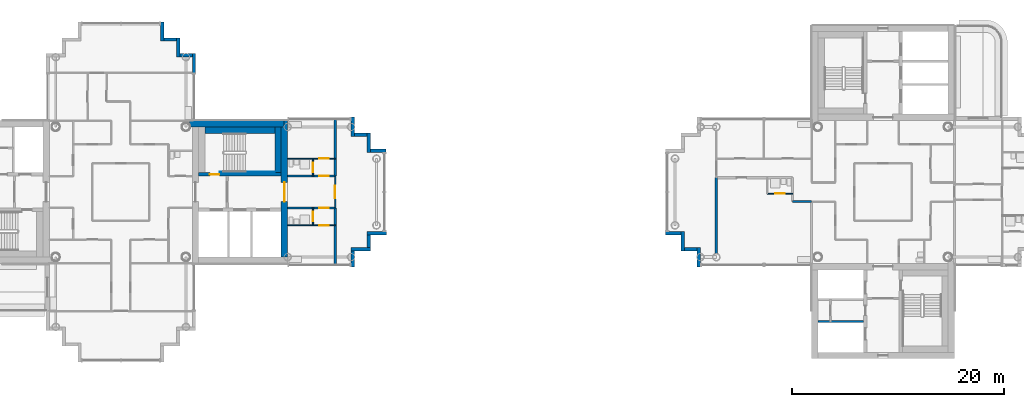
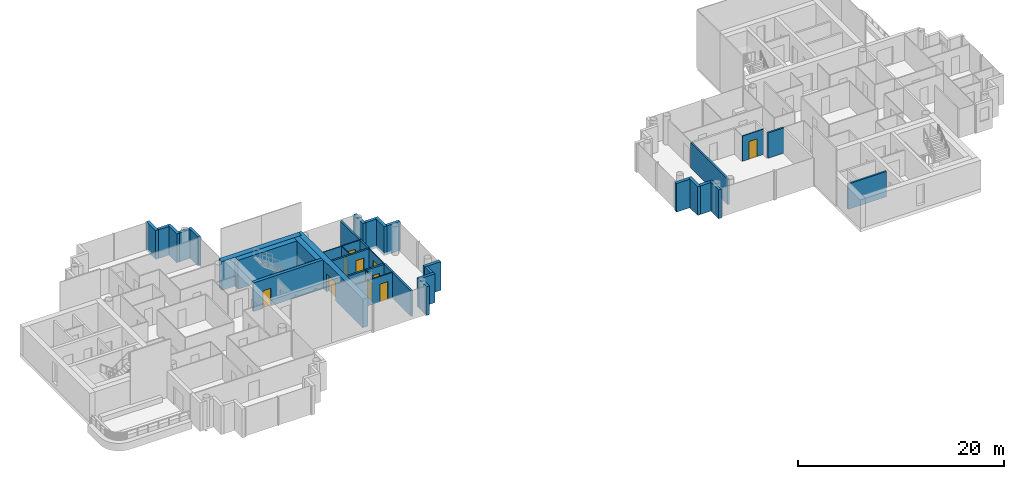
# One storey, part 8 of 18: 36 walls, 10 doors, 10 openings.
"""IFC4 building model written with IfcOpenShell, lengths in metres."""

from ifc_helpers import new_model, si_unit, direction, frame, frame_2d, origin, place, context, subcontext, project, spatial, rectangle, extrude, material, layer, layer_set, type_object, element, fill, save


model = new_model("IFC4")

# Units and contexts
model_context = context("Model", 3, precision=1e-05, world=origin(), true_north=direction((0.0, 1.0)))
body_context = subcontext(model_context, "Body", "Model", "MODEL_VIEW")
ifc_project = project(units=[si_unit("LENGTHUNIT", "METRE"), si_unit("AREAUNIT", "SQUARE_METRE"), si_unit("VOLUMEUNIT", "CUBIC_METRE"), si_unit("PLANEANGLEUNIT", "RADIAN"), si_unit("MASSUNIT", "GRAM", prefix="KILO")], contexts=[model_context])

# Site, building, storey
site_placement = place(None, origin())
site = spatial("IfcSite", under=ifc_project, at=site_placement, CompositionType="ELEMENT")
building_placement = place(site_placement, origin())
building = spatial("IfcBuilding", under=site, at=building_placement, Name="Ipe Terrace Towers", CompositionType="ELEMENT")
storey_placement = place(building_placement, frame((0.0, 0.0, 192.60009765625)))
storey = spatial("IfcBuildingStorey", under=building, at=storey_placement, Name="L53", CompositionType="ELEMENT", Elevation=192.60009765625)

# Walls
ifc_material_1 = material(Name="Concrete C40/50 with buff precast cladding", Category="concrete")
ifc_layer_1 = layer(ifc_material_1, 0.320068359375)
ifc_layer_set_1 = layer_set([ifc_layer_1], Name="BUFF CLADDING WALL 320")
wall_type_1 = type_object("IfcWallType", Name="BUFF CLADDING WALL 320", PredefinedType="STANDARD", material=ifc_layer_set_1)
wall_1_placement = place(storey_placement, frame((-14.090087890625, -7.070068359375, -0.300048828125), z_axis=(0.0, 0.0, 1.0), x_axis=(0.0, 1.0, 0.0)))
element("IfcWall", 1, at=wall_1_placement, inside=storey, type_object=wall_type_1, Name="T1-W-L53-17a wall", PredefinedType="STANDARD", context=body_context, shape_type="SweptSolid", body=[
    extrude(rectangle(XDim=1.5, YDim=0.320068359375, at=frame_2d((0.75, 0.0))), origin(), (0.0, 0.0, 1.0), 3.39990234375),
])
wall_2_placement = place(storey_placement, frame((-14.25, -5.409912109375, -0.300048828125), z_axis=(0.0, 0.0, 1.0), x_axis=(1.0, 0.0, 0.0)))
element("IfcWall", 2, at=wall_2_placement, inside=storey, type_object=wall_type_1, Name="T1-W-L53-18a wall", PredefinedType="STANDARD", context=body_context, shape_type="SweptSolid", body=[
    extrude(rectangle(XDim=1.820068359375, YDim=0.320068359375, at=frame_2d((0.91015625, 0.0))), origin(), (0.0, 0.0, 1.0), 3.39990234375),
])
wall_3_placement = place(storey_placement, frame((-12.590087890625, -5.25, -0.300048828125), z_axis=(0.0, 0.0, 1.0), x_axis=(0.0, 1.0, 0.0)))
element("IfcWall", 3, at=wall_3_placement, inside=storey, type_object=wall_type_1, Name="T1-W-L53-19a wall", PredefinedType="STANDARD", context=body_context, shape_type="SweptSolid", body=[
    extrude(rectangle(XDim=1.179931640625, YDim=0.320068359375, at=frame_2d((0.58984375, 0.0))), origin(), (0.0, 0.0, 1.0), 3.39990234375),
])
wall_4_placement = place(storey_placement, frame((-12.75, -3.909912109375, -0.300048828125), z_axis=(0.0, 0.0, 1.0), x_axis=(1.0, 0.0, 0.0)))
element("IfcWall", 4, at=wall_4_placement, inside=storey, type_object=wall_type_1, Name="T1-W-L53-20a wall", PredefinedType="STANDARD", context=body_context, shape_type="SweptSolid", body=[
    extrude(rectangle(XDim=1.820068359375, YDim=0.320068359375, at=frame_2d((0.91015625, 0.0))), origin(), (0.0, 0.0, 1.0), 3.39990234375),
])
wall_5_placement = place(storey_placement, frame((-10.929931640625, 3.909912109375, -0.300048828125), z_axis=(0.0, 0.0, 1.0), x_axis=(-1.0, 0.0, 0.0)))
element("IfcWall", 5, at=wall_5_placement, inside=storey, type_object=wall_type_1, Name="T1-W-L53-22a wall", PredefinedType="STANDARD", context=body_context, shape_type="SweptSolid", body=[
    extrude(rectangle(XDim=1.5, YDim=0.320068359375, at=frame_2d((0.75, 0.0))), origin(), (0.0, 0.0, 1.0), 3.39990234375),
])
wall_6_placement = place(storey_placement, frame((-12.590087890625, 3.75, -0.300048828125), z_axis=(0.0, 0.0, 1.0), x_axis=(0.0, 1.0, 0.0)))
element("IfcWall", 6, at=wall_6_placement, inside=storey, type_object=wall_type_1, Name="T1-W-L53-23a wall", PredefinedType="STANDARD", context=body_context, shape_type="SweptSolid", body=[
    extrude(rectangle(XDim=1.820068359375, YDim=0.320068359375, at=frame_2d((0.91015625, 0.0))), origin(), (0.0, 0.0, 1.0), 3.39990234375),
])
wall_7_placement = place(storey_placement, frame((-12.75, 5.409912109375, -0.300048828125), z_axis=(0.0, 0.0, 1.0), x_axis=(-1.0, 0.0, 0.0)))
element("IfcWall", 7, at=wall_7_placement, inside=storey, type_object=wall_type_1, Name="T1-W-L53-24a wall", PredefinedType="STANDARD", context=body_context, shape_type="SweptSolid", body=[
    extrude(rectangle(XDim=1.179931640625, YDim=0.320068359375, at=frame_2d((0.58984375, 0.0))), origin(), (0.0, 0.0, 1.0), 3.39990234375),
])
for number, where, z_axis, x_axis, name in (
    (8, (-14.090087890625, 5.25, -0.300048828125), (0.0, 0.0, 1.0), (0.0, 1.0, 0.0), "T1-W-L53-25a wall"),
    (9, (-29.090087890625, 11.25, -0.300048828125), (0.0, 0.0, 1.0), (0.0, 1.0, 0.0), "T1-W-L53-29a wall"),
):
    element("IfcWall", number, at=place(storey_placement, frame(where, z_axis=z_axis, x_axis=x_axis)), inside=storey, type_object=wall_type_1, Name=name, PredefinedType="STANDARD", context=body_context, shape_type="SweptSolid", body=[
        extrude(rectangle(XDim=1.820068359375, YDim=0.320068359375, at=frame_2d((0.91015625, 0.0))), origin(), (0.0, 0.0, 1.0), 3.39990234375),
    ])
wall_8_placement = place(storey_placement, frame((-29.25, 12.909912109375, -0.300048828125), z_axis=(0.0, 0.0, 1.0), x_axis=(-1.0, 0.0, 0.0)))
element("IfcWall", 10, at=wall_8_placement, inside=storey, type_object=wall_type_1, Name="T1-W-L53-30a wall", PredefinedType="STANDARD", context=body_context, shape_type="SweptSolid", body=[
    extrude(rectangle(XDim=1.179931640625, YDim=0.320068359375, at=frame_2d((0.58984375, 0.0))), origin(), (0.0, 0.0, 1.0), 3.39990234375),
])
wall_9_placement = place(storey_placement, frame((-30.590087890625, 12.75, -0.300048828125), z_axis=(0.0, 0.0, 1.0), x_axis=(0.0, 1.0, 0.0)))
element("IfcWall", 11, at=wall_9_placement, inside=storey, type_object=wall_type_1, Name="T1-W-L53-31a wall", PredefinedType="STANDARD", context=body_context, shape_type="SweptSolid", body=[
    extrude(rectangle(XDim=1.820068359375, YDim=0.320068359375, at=frame_2d((0.91015625, 0.0))), origin(), (0.0, 0.0, 1.0), 3.39990234375),
])
wall_10_placement = place(storey_placement, frame((-30.75, 14.409912109375, -0.300048828125), z_axis=(0.0, 0.0, 1.0), x_axis=(-1.0, 0.0, 0.0)))
element("IfcWall", 12, at=wall_10_placement, inside=storey, type_object=wall_type_1, Name="T1-W-L53-32a wall", PredefinedType="STANDARD", context=body_context, shape_type="SweptSolid", body=[
    extrude(rectangle(XDim=1.179931640625, YDim=0.320068359375, at=frame_2d((0.58984375, 0.0))), origin(), (0.0, 0.0, 1.0), 3.39990234375),
])
wall_11_placement = place(storey_placement, frame((-32.090087890625, 14.25, -0.300048828125), z_axis=(0.0, 0.0, 1.0), x_axis=(0.0, 1.0, 0.0)))
element("IfcWall", 13, at=wall_11_placement, inside=storey, type_object=wall_type_1, Name="T1-W-L53-33a wall", PredefinedType="STANDARD", context=body_context, shape_type="SweptSolid", body=[
    extrude(rectangle(XDim=1.820068359375, YDim=0.320068359375, at=frame_2d((0.91015625, 0.0))), origin(), (0.0, 0.0, 1.0), 3.39990234375),
])
wall_12_placement = place(storey_placement, frame((15.429931640625, -3.909912109375, -0.300048828125), z_axis=(0.0, 0.0, 1.0), x_axis=(1.0, 0.0, 0.0)))
element("IfcWall", 14, at=wall_12_placement, inside=storey, type_object=wall_type_1, Name="T2-W-L53-27a wall", PredefinedType="STANDARD", context=body_context, shape_type="SweptSolid", body=[
    extrude(rectangle(XDim=1.5, YDim=0.320068359375, at=frame_2d((0.75, 0.0))), origin(), (0.0, 0.0, 1.0), 3.39990234375),
])
wall_13_placement = place(storey_placement, frame((17.090087890625, -3.75, -0.300048828125), z_axis=(0.0, 0.0, 1.0), x_axis=(0.0, -1.0, 0.0)))
element("IfcWall", 15, at=wall_13_placement, inside=storey, type_object=wall_type_1, Name="T2-W-L53-28a wall", PredefinedType="STANDARD", context=body_context, shape_type="SweptSolid", body=[
    extrude(rectangle(XDim=1.820068359375, YDim=0.320068359375, at=frame_2d((0.91015625, 0.0))), origin(), (0.0, 0.0, 1.0), 3.39990234375),
])
wall_14_placement = place(storey_placement, frame((17.25, -5.409912109375, -0.300048828125), z_axis=(0.0, 0.0, 1.0), x_axis=(1.0, 0.0, 0.0)))
element("IfcWall", 16, at=wall_14_placement, inside=storey, type_object=wall_type_1, Name="T2-W-L53-29a wall", PredefinedType="STANDARD", context=body_context, shape_type="SweptSolid", body=[
    extrude(rectangle(XDim=1.179931640625, YDim=0.320068359375, at=frame_2d((0.58984375, 0.0))), origin(), (0.0, 0.0, 1.0), 3.39990234375),
])
wall_15_placement = place(storey_placement, frame((18.590087890625, -5.25, -0.300048828125), z_axis=(0.0, 0.0, 1.0), x_axis=(0.0, -1.0, 0.0)))
element("IfcWall", 17, at=wall_15_placement, inside=storey, type_object=wall_type_1, Name="T2-W-L53-30a wall", PredefinedType="STANDARD", context=body_context, shape_type="SweptSolid", body=[
    extrude(rectangle(XDim=1.820068359375, YDim=0.320068359375, at=frame_2d((0.91015625, 0.0))), origin(), (0.0, 0.0, 1.0), 3.39990234375),
])

# Wall, opening, door
ifc_material_2 = material(Name="Gypsum board partition", Category="plasterboard")
ifc_layer_2 = layer(ifc_material_2, 0.10009765625)
ifc_layer_set_2 = layer_set([ifc_layer_2], Name="Gypsum board partition 100 mm")
wall_type_2 = type_object("IfcWallType", Name="Gypsum board partition 100 mm", PredefinedType="PARTITIONING", material=ifc_layer_set_2)
wall_16_placement = place(storey_placement, frame((-17.85009765625, -3.14990234375, 0.0), z_axis=(0.0, 0.0, 1.0), x_axis=(0.0, 1.0, 0.0)))
wall_16 = element("IfcWall", 18, at=wall_16_placement, inside=storey, type_object=wall_type_2, Name="Gypsum board partition T1 L53 W13", PredefinedType="PARTITIONING", context=body_context, shape_type="SweptSolid", body=[
    extrude(rectangle(XDim=1.64990234375, YDim=0.10009765625, at=frame_2d((0.824951171875, 0.0))), origin(), (0.0, 0.0, 1.0), 3.0),
])
opening_1_placement = place(wall_16_placement, frame((0.39990234375, 0.0, 0.0)))
opening_1 = element("IfcOpeningElement", 19, at=opening_1_placement, cuts=wall_16, Name="Opening T1-Z4C-21", PredefinedType="OPENING", context=body_context, shape_type="SweptSolid", body=[
    extrude(rectangle(XDim=0.89990234375, YDim=2.10009765625, at=frame_2d((0.449951171875, 1.050048828125))), frame((0.0, 0.06005859375, 0.0), z_axis=(0.0, -1.0, 0.0), x_axis=(1.0, 0.0, 0.0)), (0.0, 0.0, 1.0), 0.1201171875),
])
ifc_material_3 = material(Name="Timber door leaf", Category="wood")
door_type_1 = type_object("IfcDoorType", Name="Bathroom door 900 x 2100", OperationType="NOTDEFINED", PredefinedType="DOOR", material=ifc_material_3)
door_1_placement = place(opening_1_placement, origin())
door_1 = element("IfcDoor", 20, at=door_1_placement, inside=storey, type_object=door_type_1, Name="Bathroom door T1-Z4C-21", OperationType="SINGLE_SWING_LEFT", OverallHeight=2.10009765625, OverallWidth=0.89990234375, PredefinedType="DOOR", context=body_context, shape_type="SweptSolid", body=[
    extrude(rectangle(XDim=0.89990234375, YDim=2.10009765625, at=frame_2d((0.449951171875, 1.050048828125))), frame((0.0, 0.02490234375, 0.0), z_axis=(0.0, -1.0, 0.0), x_axis=(1.0, 0.0, 0.0)), (0.0, 0.0, 1.0), 0.050048828125),
])
fill(opening_1, door_1)

wall_17_placement = place(storey_placement, frame((-17.85009765625, 1.5, 0.0), z_axis=(0.0, 0.0, 1.0), x_axis=(0.0, 1.0, 0.0)))
wall_17 = element("IfcWall", 21, at=wall_17_placement, inside=storey, type_object=wall_type_2, Name="Gypsum board partition T1 L53 W14", PredefinedType="PARTITIONING", context=body_context, shape_type="SweptSolid", body=[
    extrude(rectangle(XDim=1.64990234375, YDim=0.10009765625, at=frame_2d((0.824951171875, 0.0))), origin(), (0.0, 0.0, 1.0), 3.0),
])
opening_2_placement = place(wall_17_placement, frame((0.35009765625, 0.0, 0.0)))
opening_2 = element("IfcOpeningElement", 22, at=opening_2_placement, cuts=wall_17, Name="Opening T1-Z4C-18", PredefinedType="OPENING", context=body_context, shape_type="SweptSolid", body=[
    extrude(rectangle(XDim=0.89990234375, YDim=2.10009765625, at=frame_2d((0.449951171875, 1.050048828125))), frame((0.0, 0.06005859375, 0.0), z_axis=(0.0, -1.0, 0.0), x_axis=(1.0, 0.0, 0.0)), (0.0, 0.0, 1.0), 0.1201171875),
])
door_2_placement = place(opening_2_placement, origin())
door_2 = element("IfcDoor", 23, at=door_2_placement, inside=storey, type_object=door_type_1, Name="Bathroom door T1-Z4C-18", OperationType="SINGLE_SWING_RIGHT", OverallHeight=2.10009765625, OverallWidth=0.89990234375, PredefinedType="DOOR", context=body_context, shape_type="SweptSolid", body=[
    extrude(rectangle(XDim=0.89990234375, YDim=2.10009765625, at=frame_2d((0.449951171875, 1.050048828125))), frame((0.0, 0.02490234375, 0.0), z_axis=(0.0, -1.0, 0.0), x_axis=(1.0, 0.0, 0.0)), (0.0, 0.0, 1.0), 0.050048828125),
])
fill(opening_2, door_2)

wall_18_placement = place(storey_placement, frame((-15.75, -1.5, 0.0), z_axis=(0.0, 0.0, 1.0), x_axis=(0.0, 1.0, 0.0)))
wall_18 = element("IfcWall", 24, at=wall_18_placement, inside=storey, type_object=wall_type_2, Name="Gypsum board partition T1 L53 W15", PredefinedType="PARTITIONING", context=body_context, shape_type="SweptSolid", body=[
    extrude(rectangle(XDim=3.0, YDim=0.10009765625, at=frame_2d((1.5, 0.0))), origin(), (0.0, 0.0, 1.0), 3.0),
])
opening_3_placement = place(wall_18_placement, frame((0.89990234375, 0.0, 0.0)))
opening_3 = element("IfcOpeningElement", 25, at=opening_3_placement, cuts=wall_18, Name="Opening T1-Z4C-22", PredefinedType="OPENING", context=body_context, shape_type="SweptSolid", body=[
    extrude(rectangle(XDim=1.199951171875, YDim=2.10009765625, at=frame_2d((0.60009765625, 1.050048828125))), frame((0.0, 0.06005859375, 0.0), z_axis=(0.0, -1.0, 0.0), x_axis=(1.0, 0.0, 0.0)), (0.0, 0.0, 1.0), 0.1201171875),
])
ifc_material_4 = material(Name="Timber door leaf", Category="wood")
door_type_2 = type_object("IfcDoorType", Name="Lounge door 1200 x 2100", OperationType="NOTDEFINED", PredefinedType="DOOR", material=ifc_material_4)
door_3_placement = place(opening_3_placement, origin())
door_3 = element("IfcDoor", 26, at=door_3_placement, inside=storey, type_object=door_type_2, Name="Lounge door T1-Z4C-22", OperationType="SINGLE_SWING_RIGHT", OverallHeight=2.10009765625, OverallWidth=1.199951171875, PredefinedType="DOOR", context=body_context, shape_type="SweptSolid", body=[
    extrude(rectangle(XDim=1.199951171875, YDim=2.10009765625, at=frame_2d((0.60009765625, 1.050048828125))), frame((0.0, 0.02490234375, 0.0), z_axis=(0.0, -1.0, 0.0), x_axis=(1.0, 0.0, 0.0)), (0.0, 0.0, 1.0), 0.050048828125),
])
fill(opening_3, door_3)

wall_19_placement = place(storey_placement, frame((-20.25, -3.14990234375, 0.0), z_axis=(0.0, 0.0, 1.0), x_axis=(1.0, 0.0, 0.0)))
wall_19 = element("IfcWall", 27, at=wall_19_placement, inside=storey, type_object=wall_type_2, Name="Gypsum board partition T1 L53 W23", PredefinedType="PARTITIONING", context=body_context, shape_type="SweptSolid", body=[
    extrude(rectangle(XDim=4.5, YDim=0.10009765625, at=frame_2d((2.25, 0.0))), origin(), (0.0, 0.0, 1.0), 3.0),
])
opening_4_placement = place(wall_19_placement, frame((3.0, 0.0, 0.0)))
opening_4 = element("IfcOpeningElement", 28, at=opening_4_placement, cuts=wall_19, Name="Opening T1-Z4C-20", PredefinedType="OPENING", context=body_context, shape_type="SweptSolid", body=[
    extrude(rectangle(XDim=0.89990234375, YDim=2.10009765625, at=frame_2d((0.449951171875, 1.050048828125))), frame((0.0, 0.06005859375, 0.0), z_axis=(0.0, -1.0, 0.0), x_axis=(1.0, 0.0, 0.0)), (0.0, 0.0, 1.0), 0.1201171875),
])
ifc_material_5 = material(Name="Timber door leaf", Category="wood")
door_type_3 = type_object("IfcDoorType", Name="Bedroom door 900 x 2100", OperationType="NOTDEFINED", PredefinedType="DOOR", material=ifc_material_5)
door_4_placement = place(opening_4_placement, origin())
door_4 = element("IfcDoor", 29, at=door_4_placement, inside=storey, type_object=door_type_3, Name="Bedroom door T1-Z4C-20", OperationType="SINGLE_SWING_RIGHT", OverallHeight=2.10009765625, OverallWidth=0.89990234375, PredefinedType="DOOR", context=body_context, shape_type="SweptSolid", body=[
    extrude(rectangle(XDim=0.89990234375, YDim=2.10009765625, at=frame_2d((0.449951171875, 1.050048828125))), frame((0.0, 0.02490234375, 0.0), z_axis=(0.0, -1.0, 0.0), x_axis=(1.0, 0.0, 0.0)), (0.0, 0.0, 1.0), 0.050048828125),
])
fill(opening_4, door_4)

wall_20_placement = place(storey_placement, frame((-20.25, 3.14990234375, 0.0), z_axis=(0.0, 0.0, 1.0), x_axis=(1.0, 0.0, 0.0)))
wall_20 = element("IfcWall", 30, at=wall_20_placement, inside=storey, type_object=wall_type_2, Name="Gypsum board partition T1 L53 W32", PredefinedType="PARTITIONING", context=body_context, shape_type="SweptSolid", body=[
    extrude(rectangle(XDim=4.5, YDim=0.10009765625, at=frame_2d((2.25, 0.0))), origin(), (0.0, 0.0, 1.0), 3.0),
])
opening_5_placement = place(wall_20_placement, frame((3.0, 0.0, 0.0)))
opening_5 = element("IfcOpeningElement", 31, at=opening_5_placement, cuts=wall_20, Name="Opening T1-Z4C-17", PredefinedType="OPENING", context=body_context, shape_type="SweptSolid", body=[
    extrude(rectangle(XDim=0.89990234375, YDim=2.10009765625, at=frame_2d((0.449951171875, 1.050048828125))), frame((0.0, 0.06005859375, 0.0), z_axis=(0.0, -1.0, 0.0), x_axis=(1.0, 0.0, 0.0)), (0.0, 0.0, 1.0), 0.1201171875),
])
door_5_placement = place(opening_5_placement, origin())
door_5 = element("IfcDoor", 32, at=door_5_placement, inside=storey, type_object=door_type_3, Name="Bedroom door T1-Z4C-17", OperationType="SINGLE_SWING_LEFT", OverallHeight=2.10009765625, OverallWidth=0.89990234375, PredefinedType="DOOR", context=body_context, shape_type="SweptSolid", body=[
    extrude(rectangle(XDim=0.89990234375, YDim=2.10009765625, at=frame_2d((0.449951171875, 1.050048828125))), frame((0.0, 0.02490234375, 0.0), z_axis=(0.0, -1.0, 0.0), x_axis=(1.0, 0.0, 0.0)), (0.0, 0.0, 1.0), 0.050048828125),
])
fill(opening_5, door_5)

wall_21_placement = place(storey_placement, frame((27.449951171875, -0.14990234375, 0.0), z_axis=(0.0, 0.0, 1.0), x_axis=(-1.0, 0.0, 0.0)))
wall_21 = element("IfcWall", 33, at=wall_21_placement, inside=storey, type_object=wall_type_2, Name="Gypsum board partition T2 L53 W10", PredefinedType="PARTITIONING", context=body_context, shape_type="SweptSolid", body=[
    extrude(rectangle(XDim=2.39990234375, YDim=0.10009765625, at=frame_2d((1.199951171875, 0.0))), origin(), (0.0, 0.0, 1.0), 3.0),
])
opening_6_placement = place(wall_21_placement, frame((0.75, 0.0, 0.0)))
opening_6 = element("IfcOpeningElement", 34, at=opening_6_placement, cuts=wall_21, Name="Opening T2-Z4C-11", PredefinedType="OPENING", context=body_context, shape_type="SweptSolid", body=[
    extrude(rectangle(XDim=0.89990234375, YDim=2.10009765625, at=frame_2d((0.449951171875, 1.050048828125))), frame((0.0, 0.06005859375, 0.0), z_axis=(0.0, -1.0, 0.0), x_axis=(1.0, 0.0, 0.0)), (0.0, 0.0, 1.0), 0.1201171875),
])
door_6_placement = place(opening_6_placement, origin())
door_6 = element("IfcDoor", 35, at=door_6_placement, inside=storey, type_object=door_type_1, Name="Bathroom door T2-Z4C-11", OperationType="SINGLE_SWING_RIGHT", OverallHeight=2.10009765625, OverallWidth=0.89990234375, PredefinedType="DOOR", context=body_context, shape_type="SweptSolid", body=[
    extrude(rectangle(XDim=0.89990234375, YDim=2.10009765625, at=frame_2d((0.449951171875, 1.050048828125))), frame((0.0, 0.02490234375, 0.0), z_axis=(0.0, -1.0, 0.0), x_axis=(1.0, 0.0, 0.0)), (0.0, 0.0, 1.0), 0.050048828125),
])
fill(opening_6, door_6)

# Walls
ifc_material_6 = material(Name="Gypsum board party wall", Category="plasterboard")
ifc_layer_3 = layer(ifc_material_6, 0.199951171875)
ifc_layer_set_3 = layer_set([ifc_layer_3], Name="Gypsum board party wall 200 mm")
wall_type_3 = type_object("IfcWallType", Name="Gypsum board party wall 200 mm", PredefinedType="SOLIDWALL", material=ifc_layer_set_3)
for number, where, z_axis, x_axis, name in (
    (36, (-15.75, -6.85009765625, 0.0), (0.0, 0.0, 1.0), (0.0, 1.0, 0.0), "Gypsum board party wall T1 L53 W16"),
    (37, (-15.75, 1.5, 0.0), (0.0, 0.0, 1.0), (0.0, 1.0, 0.0), "Gypsum board party wall T1 L53 W17"),
):
    element("IfcWall", number, at=place(storey_placement, frame(where, z_axis=z_axis, x_axis=x_axis)), inside=storey, type_object=wall_type_3, Name=name, PredefinedType="SOLIDWALL", context=body_context, shape_type="SweptSolid", body=[
        extrude(rectangle(XDim=5.35009765625, YDim=0.199951171875, at=frame_2d((2.675048828125, 0.0))), origin(), (0.0, 0.0, 1.0), 3.0),
    ])

# Wall, opening, door
wall_22_placement = place(storey_placement, frame((-20.25, -1.5, 0.0), z_axis=(0.0, 0.0, 1.0), x_axis=(1.0, 0.0, 0.0)))
wall_22 = element("IfcWall", 38, at=wall_22_placement, inside=storey, type_object=wall_type_3, Name="Gypsum board party wall T1 L53 W27", PredefinedType="SOLIDWALL", context=body_context, shape_type="SweptSolid", body=[
    extrude(rectangle(XDim=4.5, YDim=0.199951171875, at=frame_2d((2.25, 0.0))), origin(), (0.0, 0.0, 1.0), 3.0),
])
opening_7_placement = place(wall_22_placement, frame((3.0, 0.0, 0.0)))
opening_7 = element("IfcOpeningElement", 39, at=opening_7_placement, cuts=wall_22, Name="Opening T1-Z4C-19", PredefinedType="OPENING", context=body_context, shape_type="SweptSolid", body=[
    extrude(rectangle(XDim=0.89990234375, YDim=2.10009765625, at=frame_2d((0.449951171875, 1.050048828125))), frame((0.0, 0.10986328125, 0.0), z_axis=(0.0, -1.0, 0.0), x_axis=(1.0, 0.0, 0.0)), (0.0, 0.0, 1.0), 0.219970703125),
])
ifc_material_7 = material(Name="Fire-rated timber door leaf", Category="wood")
door_type_4 = type_object("IfcDoorType", Name="Flat entrance door 900 x 2100 FD30S", OperationType="NOTDEFINED", PredefinedType="DOOR", material=ifc_material_7)
door_7_placement = place(opening_7_placement, origin())
door_7 = element("IfcDoor", 40, at=door_7_placement, inside=storey, type_object=door_type_4, Name="Flat entrance door T1-Z4C-19", OperationType="SINGLE_SWING_RIGHT", OverallHeight=2.10009765625, OverallWidth=0.89990234375, PredefinedType="DOOR", context=body_context, shape_type="SweptSolid", body=[
    extrude(rectangle(XDim=0.89990234375, YDim=2.10009765625, at=frame_2d((0.449951171875, 1.050048828125))), frame((0.0, 0.02490234375, 0.0), z_axis=(0.0, -1.0, 0.0), x_axis=(1.0, 0.0, 0.0)), (0.0, 0.0, 1.0), 0.050048828125),
])
fill(opening_7, door_7)

wall_23_placement = place(storey_placement, frame((-20.25, 1.5, 0.0), z_axis=(0.0, 0.0, 1.0), x_axis=(1.0, 0.0, 0.0)))
wall_23 = element("IfcWall", 41, at=wall_23_placement, inside=storey, type_object=wall_type_3, Name="Gypsum board party wall T1 L53 W30", PredefinedType="SOLIDWALL", context=body_context, shape_type="SweptSolid", body=[
    extrude(rectangle(XDim=4.5, YDim=0.199951171875, at=frame_2d((2.25, 0.0))), origin(), (0.0, 0.0, 1.0), 3.0),
])
opening_8_placement = place(wall_23_placement, frame((3.0, 0.0, 0.0)))
opening_8 = element("IfcOpeningElement", 42, at=opening_8_placement, cuts=wall_23, Name="Opening T1-Z4C-16", PredefinedType="OPENING", context=body_context, shape_type="SweptSolid", body=[
    extrude(rectangle(XDim=0.89990234375, YDim=2.10009765625, at=frame_2d((0.449951171875, 1.050048828125))), frame((0.0, 0.10986328125, 0.0), z_axis=(0.0, -1.0, 0.0), x_axis=(1.0, 0.0, 0.0)), (0.0, 0.0, 1.0), 0.219970703125),
])
door_8_placement = place(opening_8_placement, origin())
door_8 = element("IfcDoor", 43, at=door_8_placement, inside=storey, type_object=door_type_4, Name="Flat entrance door T1-Z4C-16", OperationType="SINGLE_SWING_LEFT", OverallHeight=2.10009765625, OverallWidth=0.89990234375, PredefinedType="DOOR", context=body_context, shape_type="SweptSolid", body=[
    extrude(rectangle(XDim=0.89990234375, YDim=2.10009765625, at=frame_2d((0.449951171875, 1.050048828125))), frame((0.0, 0.02490234375, 0.0), z_axis=(0.0, -1.0, 0.0), x_axis=(1.0, 0.0, 0.0)), (0.0, 0.0, 1.0), 0.050048828125),
])
fill(opening_8, door_8)

# Walls
wall_24_placement = place(storey_placement, frame((29.85009765625, -12.25, 0.0), z_axis=(0.0, 0.0, 1.0), x_axis=(1.0, 0.0, 0.0)))
element("IfcWall", 44, at=wall_24_placement, inside=storey, type_object=wall_type_3, Name="Gypsum board party wall T2 L53 t2c2-shaft-div2", PredefinedType="SOLIDWALL", context=body_context, shape_type="SweptSolid", body=[
    extrude(rectangle(XDim=4.2998046875, YDim=0.199951171875, at=frame_2d((2.14990234375, 0.0))), origin(), (0.0, 0.0, 1.0), 3.0),
])
wall_25_placement = place(storey_placement, frame((29.25, -0.89990234375, 0.0), z_axis=(0.0, 0.0, 1.0), x_axis=(-1.0, 0.0, 0.0)))
element("IfcWall", 45, at=wall_25_placement, inside=storey, type_object=wall_type_3, Name="Gypsum board party wall T2 L53 W08", PredefinedType="SOLIDWALL", context=body_context, shape_type="SweptSolid", body=[
    extrude(rectangle(XDim=1.800048828125, YDim=0.199951171875, at=frame_2d((0.89990234375, 0.0))), origin(), (0.0, 0.0, 1.0), 3.0),
])
wall_26_placement = place(storey_placement, frame((20.25, -5.800048828125, 0.0), z_axis=(0.0, 0.0, 1.0), x_axis=(0.0, 1.0, 0.0)))
element("IfcWall", 46, at=wall_26_placement, inside=storey, type_object=wall_type_3, Name="Gypsum board party wall T2 L53 W42", PredefinedType="SOLIDWALL", context=body_context, shape_type="SweptSolid", body=[
    extrude(rectangle(XDim=7.150146484375, YDim=0.199951171875, at=frame_2d((3.5751953125, 0.0))), origin(), (0.0, 0.0, 1.0), 3.0),
])

# Wall, opening, door
ifc_material_8 = material(Name="Concrete C40/50", Category="concrete")
ifc_layer_4 = layer(ifc_material_8, 0.35009765625)
ifc_layer_set_4 = layer_set([ifc_layer_4], Name="RW350 CORE SPINE WALL 350 C40-50")
wall_type_4 = type_object("IfcWallType", Name="RW350 CORE SPINE WALL 350 C40-50", PredefinedType="SHEAR", material=ifc_layer_set_4)
wall_27_placement = place(storey_placement, frame((-28.64990234375, 1.675048828125, 0.0), z_axis=(0.0, 0.0, 1.0), x_axis=(1.0, 0.0, 0.0)))
wall_27 = element("IfcWall", 47, at=wall_27_placement, inside=storey, type_object=wall_type_4, Name="Core spine wall T1-C1-Z4-SW2", PredefinedType="SHEAR", context=body_context, shape_type="SweptSolid", body=[
    extrude(rectangle(XDim=7.7998046875, YDim=0.35009765625, at=frame_2d((3.89990234375, 0.0))), origin(), (0.0, 0.0, 1.0), 3.39990234375),
])
opening_9_placement = place(wall_27_placement, frame((1.050048828125, 0.0, 0.0)))
opening_9 = element("IfcOpeningElement", 48, at=opening_9_placement, cuts=wall_27, Name="Opening T1C1-SD", PredefinedType="OPENING", context=body_context, shape_type="SweptSolid", body=[
    extrude(rectangle(XDim=0.89990234375, YDim=2.10009765625, at=frame_2d((0.449951171875, 1.050048828125))), frame((0.0, 0.18505859375, 0.0), z_axis=(0.0, -1.0, 0.0), x_axis=(1.0, 0.0, 0.0)), (0.0, 0.0, 1.0), 0.3701171875),
])
ifc_material_9 = material(Name="Fire-rated timber door leaf", Category="wood")
door_type_5 = type_object("IfcDoorType", Name="Stair door 900 x 2100 FD60", OperationType="NOTDEFINED", PredefinedType="DOOR", material=ifc_material_9)
door_9_placement = place(opening_9_placement, origin())
door_9 = element("IfcDoor", 49, at=door_9_placement, inside=storey, type_object=door_type_5, Name="Stair door T1C1-SD", OperationType="SINGLE_SWING_LEFT", OverallHeight=2.10009765625, OverallWidth=0.89990234375, PredefinedType="DOOR", context=body_context, shape_type="SweptSolid", body=[
    extrude(rectangle(XDim=0.89990234375, YDim=2.10009765625, at=frame_2d((0.449951171875, 1.050048828125))), frame((0.0, 0.02490234375, 0.0), z_axis=(0.0, -1.0, 0.0), x_axis=(1.0, 0.0, 0.0)), (0.0, 0.0, 1.0), 0.050048828125),
])
fill(opening_9, door_9)

# Walls
ifc_material_10 = material(Name="Concrete C40/50", Category="concrete")
ifc_layer_5 = layer(ifc_material_10, 0.050048828125)
ifc_layer_set_5 = layer_set([ifc_layer_5], Name="RW50 CORE INFILL WALL 50 C40-50")
wall_type_5 = type_object("IfcWallType", Name="RW50 CORE INFILL WALL 50 C40-50", PredefinedType="SHEAR", material=ifc_layer_set_5)
wall_28_placement = place(storey_placement, frame((-26.64990234375, 1.875, 0.0), z_axis=(0.0, 0.0, 1.0), x_axis=(1.0, 0.0, 0.0)))
element("IfcWall", 50, at=wall_28_placement, inside=storey, type_object=wall_type_5, Name="Core infill wall T1-C1-spine-b", PredefinedType="SHEAR", context=body_context, shape_type="SweptSolid", body=[
    extrude(rectangle(XDim=5.199951171875, YDim=0.050048828125, at=frame_2d((2.60009765625, 0.0))), origin(), (0.0, 0.0, 1.0), 3.39990234375),
])
ifc_material_11 = material(Name="Concrete C40/50", Category="concrete")
ifc_layer_6 = layer(ifc_material_11, 0.60009765625)
ifc_layer_set_6 = layer_set([ifc_layer_6], Name="RW600 CORE INFILL WALL 600 C40-50")
wall_type_6 = type_object("IfcWallType", Name="RW600 CORE INFILL WALL 600 C40-50", PredefinedType="SHEAR", material=ifc_layer_set_6)
wall_29_placement = place(storey_placement, frame((-21.14990234375, 1.85009765625, 0.0), z_axis=(0.0, 0.0, 1.0), x_axis=(0.0, 1.0, 0.0)))
element("IfcWall", 51, at=wall_29_placement, inside=storey, type_object=wall_type_6, Name="Core infill wall T1-C1-far", PredefinedType="SHEAR", context=body_context, shape_type="SweptSolid", body=[
    extrude(rectangle(XDim=4.2998046875, YDim=0.60009765625, at=frame_2d((2.14990234375, 0.0))), origin(), (0.0, 0.0, 1.0), 3.39990234375),
])
wall_30_placement = place(storey_placement, frame((-28.050048828125, 5.85009765625, 0.0), z_axis=(0.0, 0.0, 1.0), x_axis=(1.0, 0.0, 0.0)))
element("IfcWall", 52, at=wall_30_placement, inside=storey, type_object=wall_type_6, Name="Core infill wall T1-C1-back", PredefinedType="SHEAR", context=body_context, shape_type="SweptSolid", body=[
    extrude(rectangle(XDim=6.60009765625, YDim=0.60009765625, at=frame_2d((3.300048828125, 0.0))), origin(), (0.0, 0.0, 1.0), 3.39990234375),
])

# Wall, opening, door
ifc_material_12 = material(Name="Concrete C40/50", Category="concrete")
ifc_layer_7 = layer(ifc_material_12, 0.60009765625)
ifc_layer_set_7 = layer_set([ifc_layer_7], Name="RW600 CORE WALL 600 C40-50")
wall_type_7 = type_object("IfcWallType", Name="RW600 CORE WALL 600 C40-50", PredefinedType="SHEAR", material=ifc_layer_set_7)
wall_31_placement = place(storey_placement, frame((-20.550048828125, -6.14990234375, 0.0), z_axis=(0.0, 0.0, 1.0), x_axis=(0.0, 1.0, 0.0)))
wall_31 = element("IfcWall", 53, at=wall_31_placement, inside=storey, type_object=wall_type_7, Name="Core wall T1-C1-Z4-W02", PredefinedType="SHEAR", context=body_context, shape_type="SweptSolid", body=[
    extrude(rectangle(XDim=12.89990234375, YDim=0.60009765625, at=frame_2d((6.449951171875, 0.0))), origin(), (0.0, 0.0, 1.0), 3.39990234375),
])
opening_10_placement = place(wall_31_placement, frame((5.25, 0.0, 0.0)))
opening_10 = element("IfcOpeningElement", 54, at=opening_10_placement, cuts=wall_31, Name="Opening T1C1-FD", PredefinedType="OPENING", context=body_context, shape_type="SweptSolid", body=[
    extrude(rectangle(XDim=1.800048828125, YDim=2.10009765625, at=frame_2d((0.89990234375, 1.050048828125))), frame((0.0, 0.31005859375, 0.0), z_axis=(0.0, -1.0, 0.0), x_axis=(1.0, 0.0, 0.0)), (0.0, 0.0, 1.0), 0.6201171875),
])
ifc_material_13 = material(Name="Fire-rated timber door leaf", Category="wood")
door_type_6 = type_object("IfcDoorType", Name="Fire door 1800 x 2100 FD30S", OperationType="NOTDEFINED", PredefinedType="DOOR", material=ifc_material_13)
door_10_placement = place(opening_10_placement, origin())
door_10 = element("IfcDoor", 55, at=door_10_placement, inside=storey, type_object=door_type_6, Name="Fire door T1C1-FD", OperationType="SINGLE_SWING_LEFT", OverallHeight=2.10009765625, OverallWidth=1.800048828125, PredefinedType="DOOR", context=body_context, shape_type="SweptSolid", body=[
    extrude(rectangle(XDim=1.800048828125, YDim=2.10009765625, at=frame_2d((0.89990234375, 1.050048828125))), frame((0.0, 0.02490234375, 0.0), z_axis=(0.0, -1.0, 0.0), x_axis=(1.0, 0.0, 0.0)), (0.0, 0.0, 1.0), 0.050048828125),
])
fill(opening_10, door_10)

# Wall
wall_32_placement = place(storey_placement, frame((-20.60205078125, 6.449951171875, 0.0), z_axis=(0.0, 0.0, 1.0), x_axis=(-1.0, 0.0, 0.0)))
element("IfcWall", 56, at=wall_32_placement, inside=storey, type_object=wall_type_7, Name="Core wall T1-C1-Z4-W03", PredefinedType="SHEAR", context=body_context, shape_type="SweptSolid", body=[
    extrude(rectangle(XDim=8.89599609375, YDim=0.60009765625, at=frame_2d((4.447998046875, 0.0))), origin(), (0.0, 0.0, 1.0), 3.39990234375),
])

save(model, "model.ifc")
